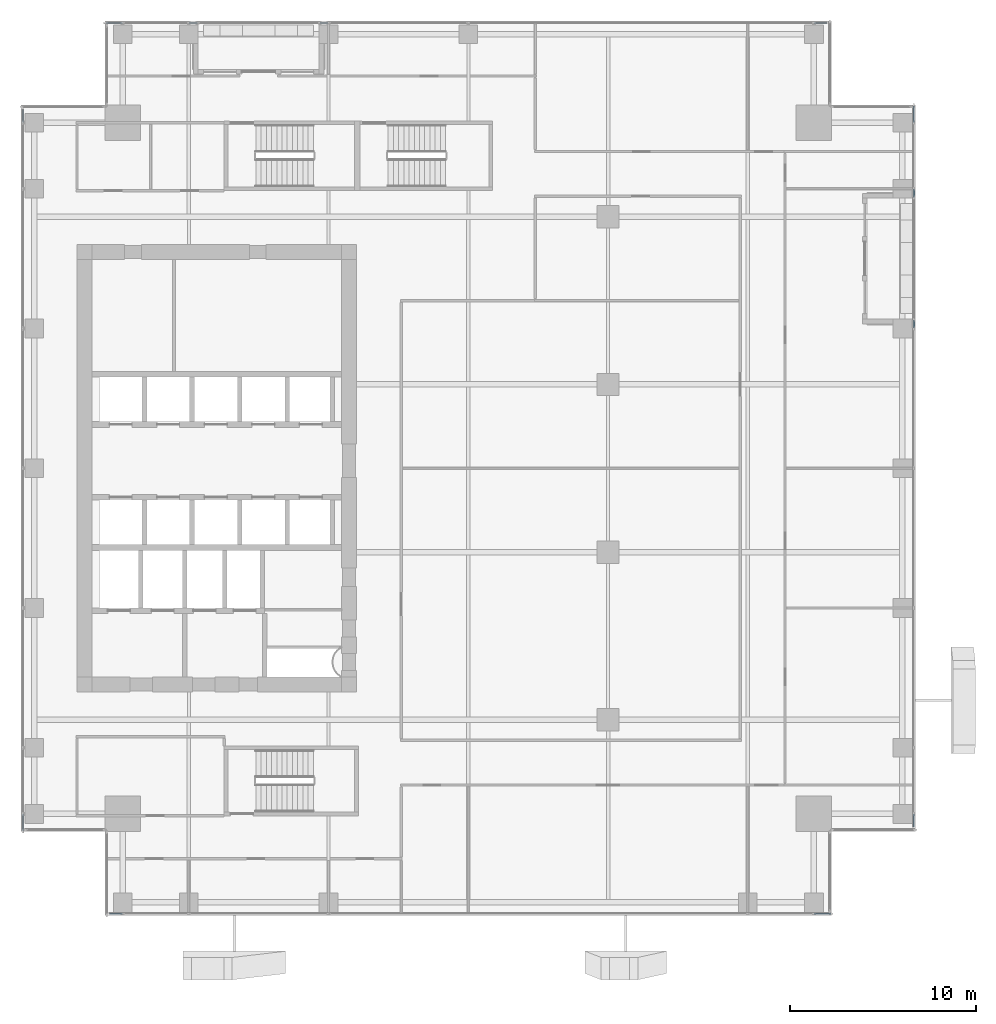
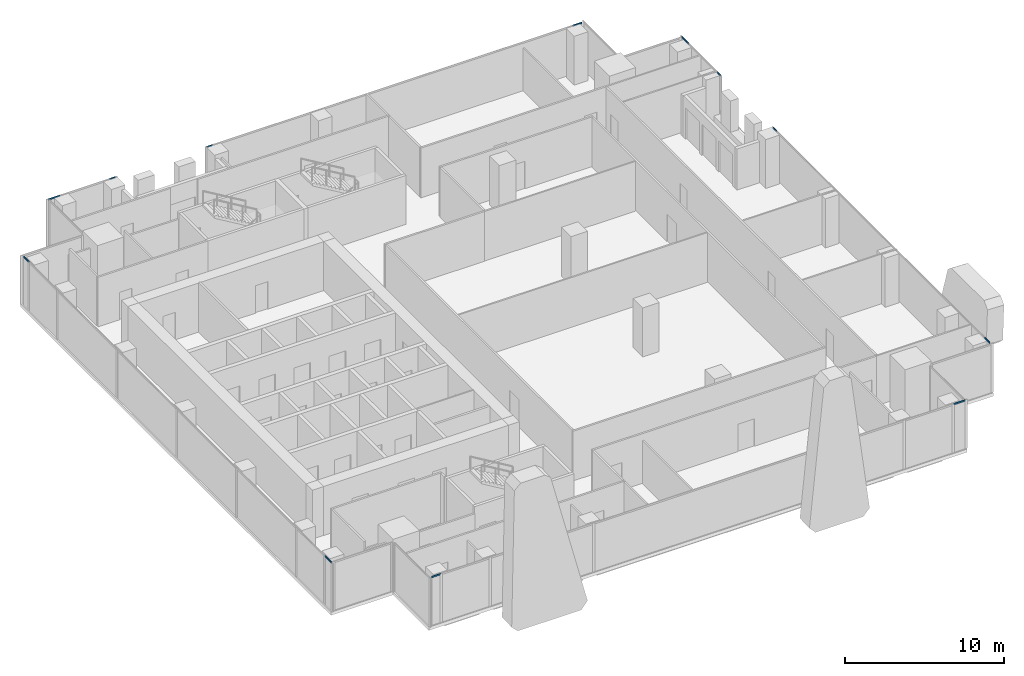
# One storey, part 26 of 38: 12 members, 6 elements without a shape of their own.
"""IFC4 building model written with IfcOpenShell, lengths in metres."""

from ifc_helpers import new_model, si_unit, direction, frame, origin, origin_2d, place, context, subcontext, project, spatial, hollow_rectangle, extrude, source, transform, mapped, material, material_profile, profile_set, type_object, element, aggregate, save


model = new_model("IFC4")

# Units and contexts
model_context = context("Model", 3, precision=1e-05, world=origin(), true_north=direction((0.0, 1.0)))
body_context = subcontext(model_context, "Body", "Model", "MODEL_VIEW")
ifc_project = project(units=[si_unit("LENGTHUNIT", "METRE"), si_unit("AREAUNIT", "SQUARE_METRE"), si_unit("VOLUMEUNIT", "CUBIC_METRE"), si_unit("PLANEANGLEUNIT", "RADIAN"), si_unit("MASSUNIT", "GRAM", prefix="KILO")], contexts=[model_context])

# Site, building, storey
site_placement = place(None, origin())
site = spatial("IfcSite", under=ifc_project, at=site_placement, CompositionType="ELEMENT")
building_placement = place(site_placement, origin())
building = spatial("IfcBuilding", under=site, at=building_placement, Name="Khomas Fold Tower", CompositionType="ELEMENT")
storey_placement = place(building_placement, frame((0.0, 0.0, 196.699951171875)))
storey = spatial("IfcBuildingStorey", under=building, at=storey_placement, Name="L43", CompositionType="ELEMENT", Elevation=196.699951171875)

# Curtain wall, member
ifc_material_1 = material(Name="Aluminium framed double glazing", Category="aluminium")
curtain_wall_type = type_object("IfcCurtainWallType", Name="SK-Unitised clear-glass wall, office floors CW2", PredefinedType="NOTDEFINED", material=ifc_material_1)
curtain_wall_1_placement = place(storey_placement, origin())
curtain_wall_1 = element("IfcCurtainWall", 1, at=curtain_wall_1_placement, inside=storey, type_object=curtain_wall_type, Name="CW2 run L43 00-0", PredefinedType="NOTDEFINED")
ifc_material_2 = material(Name="Aluminium", Category="aluminium")
ifc_material_profile = material_profile(ifc_material_2, hollow_rectangle(XDim=0.050048828125, YDim=0.110107421875, WallThickness=0.00390625, at=origin_2d()), Name="SK-Unitised clear-glass wall, office floors transom CW2-T")
ifc_profile_set = profile_set([ifc_material_profile], Name="Aluminium")
member_type = type_object("IfcMemberType", Name="SK-Unitised clear-glass wall, office floors transom CW2-T", PredefinedType="USERDEFINED", material=ifc_profile_set)
shared_shape_1 = source(origin(), body_context, "Body", "SweptSolid", [
    extrude(hollow_rectangle(XDim=0.050048828125, YDim=0.110107421875, WallThickness=0.00390625, at=origin_2d()), origin(), (0.0, 0.0, 1.0), 0.659912109375),
])
member_1_placement = place(storey_placement, frame((7.760009765625, 3.10009765625, 3.695068359375), z_axis=(1.0, 0.0, 0.0), x_axis=(0.0, 1.0, 0.0)))
member_1 = element("IfcMember", 2, at=member_1_placement, type_object=member_type, Name="CW2 transom 1", ObjectType="TRANSOM", PredefinedType="USERDEFINED", context=body_context, shape_type="MappedRepresentation", body=[
    mapped(shared_shape_1, transform((0.0, 0.0, 0.0))),
])

curtain_wall_2_placement = place(storey_placement, origin())
curtain_wall_2 = element("IfcCurtainWall", 3, at=curtain_wall_2_placement, inside=storey, type_object=curtain_wall_type, Name="CW2 run L43 03-0", PredefinedType="NOTDEFINED")
member_2_placement = place(storey_placement, frame((50.89990234375, 7.760009765625, 3.695068359375), z_axis=(0.0, 1.0, 0.0), x_axis=(-1.0, 0.0, 0.0)))
member_2 = element("IfcMember", 4, at=member_2_placement, type_object=member_type, Name="CW2 transom 1", ObjectType="TRANSOM", PredefinedType="USERDEFINED", context=body_context, shape_type="MappedRepresentation", body=[
    mapped(shared_shape_1, transform((0.0, 0.0, 0.0))),
])

curtain_wall_3_placement = place(storey_placement, origin())
curtain_wall_3 = element("IfcCurtainWall", 5, at=curtain_wall_3_placement, inside=storey, type_object=curtain_wall_type, Name="CW2 run L43 06-0", PredefinedType="NOTDEFINED")
member_3_placement = place(storey_placement, frame((46.239990234375, 50.89990234375, 3.695068359375), z_axis=(-1.0, 0.0, 0.0), x_axis=(0.0, -1.0, 0.0)))
member_3 = element("IfcMember", 6, at=member_3_placement, type_object=member_type, Name="CW2 transom 1", ObjectType="TRANSOM", PredefinedType="USERDEFINED", context=body_context, shape_type="MappedRepresentation", body=[
    mapped(shared_shape_1, transform((0.0, 0.0, 0.0))),
])

curtain_wall_4_placement = place(storey_placement, origin())
curtain_wall_4 = element("IfcCurtainWall", 7, at=curtain_wall_4_placement, inside=storey, type_object=curtain_wall_type, Name="CW2 run L43 09-0", PredefinedType="NOTDEFINED")
member_4_placement = place(storey_placement, frame((3.10009765625, 46.239990234375, 3.695068359375), z_axis=(0.0, -1.0, 0.0), x_axis=(1.0, 0.0, 0.0)))
member_4 = element("IfcMember", 8, at=member_4_placement, type_object=member_type, Name="CW2 transom 1", ObjectType="TRANSOM", PredefinedType="USERDEFINED", context=body_context, shape_type="MappedRepresentation", body=[
    mapped(shared_shape_1, transform((0.0, 0.0, 0.0))),
])

# Member
shared_shape_2 = source(origin(), body_context, "Body", "SweptSolid", [
    extrude(hollow_rectangle(XDim=0.050048828125, YDim=0.110107421875, WallThickness=0.00390625, at=origin_2d()), origin(), (0.0, 0.0, 1.0), 0.409912109375),
])
member_5_placement = place(storey_placement, frame((50.89990234375, 34.530029296875, 3.695068359375), z_axis=(0.0, 1.0, 0.0), x_axis=(-1.0, 0.0, 0.0)))
member_5 = element("IfcMember", 9, at=member_5_placement, type_object=member_type, Name="CW2 transom 6", ObjectType="TRANSOM", PredefinedType="USERDEFINED", context=body_context, shape_type="MappedRepresentation", body=[
    mapped(shared_shape_2, transform((0.0, 0.0, 0.0))),
])

aggregate(curtain_wall_2, [member_2, member_5])

# Curtain wall, member
curtain_wall_5_placement = place(storey_placement, origin())
curtain_wall_5 = element("IfcCurtainWall", 10, at=curtain_wall_5_placement, inside=storey, type_object=curtain_wall_type, Name="CW2 run L43 03-1", PredefinedType="NOTDEFINED")
member_6_placement = place(storey_placement, frame((50.89990234375, 41.56005859375, 3.695068359375), z_axis=(0.0, 1.0, 0.0), x_axis=(-1.0, 0.0, 0.0)))
member_6 = element("IfcMember", 11, at=member_6_placement, type_object=member_type, Name="CW2 transom 1", ObjectType="TRANSOM", PredefinedType="USERDEFINED", context=body_context, shape_type="MappedRepresentation", body=[
    mapped(shared_shape_2, transform((0.0, 0.0, 0.0))),
])

# Member
member_7_placement = place(storey_placement, frame((19.469970703125, 50.89990234375, 3.695068359375), z_axis=(-1.0, 0.0, 0.0), x_axis=(0.0, -1.0, 0.0)))
member_7 = element("IfcMember", 12, at=member_7_placement, type_object=member_type, Name="CW2 transom 4", ObjectType="TRANSOM", PredefinedType="USERDEFINED", context=body_context, shape_type="MappedRepresentation", body=[
    mapped(shared_shape_2, transform((0.0, 0.0, 0.0))),
])

aggregate(curtain_wall_3, [member_3, member_7])

# Curtain wall, member
curtain_wall_6_placement = place(storey_placement, origin())
curtain_wall_6 = element("IfcCurtainWall", 13, at=curtain_wall_6_placement, inside=storey, type_object=curtain_wall_type, Name="CW2 run L43 06-1", PredefinedType="NOTDEFINED")
member_8_placement = place(storey_placement, frame((12.43994140625, 50.89990234375, 3.695068359375), z_axis=(-1.0, 0.0, 0.0), x_axis=(0.0, -1.0, 0.0)))
member_8 = element("IfcMember", 14, at=member_8_placement, type_object=member_type, Name="CW2 transom 1", ObjectType="TRANSOM", PredefinedType="USERDEFINED", context=body_context, shape_type="MappedRepresentation", body=[
    mapped(shared_shape_2, transform((0.0, 0.0, 0.0))),
])

# Member
shared_shape_3 = source(origin(), body_context, "Body", "SweptSolid", [
    extrude(hollow_rectangle(XDim=0.050048828125, YDim=0.110107421875, WallThickness=0.00390625, at=origin_2d()), origin(), (0.0, 0.0, 1.0), 0.85986328125),
])
member_9_placement = place(storey_placement, frame((45.580078125, 3.10009765625, 3.695068359375), z_axis=(1.0, 0.0, 0.0), x_axis=(0.0, 1.0, 0.0)))
member_9 = element("IfcMember", 15, at=member_9_placement, type_object=member_type, Name="CW2 transom 6", ObjectType="TRANSOM", PredefinedType="USERDEFINED", context=body_context, shape_type="MappedRepresentation", body=[
    mapped(shared_shape_3, transform((0.0, 0.0, 0.0))),
])

aggregate(curtain_wall_1, [member_1, member_9])

member_10_placement = place(storey_placement, frame((50.89990234375, 45.580078125, 3.695068359375), z_axis=(0.0, 1.0, 0.0), x_axis=(-1.0, 0.0, 0.0)))
member_10 = element("IfcMember", 16, at=member_10_placement, type_object=member_type, Name="CW2 transom 3", ObjectType="TRANSOM", PredefinedType="USERDEFINED", context=body_context, shape_type="MappedRepresentation", body=[
    mapped(shared_shape_3, transform((0.0, 0.0, 0.0))),
])

aggregate(curtain_wall_5, [member_6, member_10])

member_11_placement = place(storey_placement, frame((8.419921875, 50.89990234375, 3.695068359375), z_axis=(-1.0, 0.0, 0.0), x_axis=(0.0, -1.0, 0.0)))
member_11 = element("IfcMember", 17, at=member_11_placement, type_object=member_type, Name="CW2 transom 3", ObjectType="TRANSOM", PredefinedType="USERDEFINED", context=body_context, shape_type="MappedRepresentation", body=[
    mapped(shared_shape_3, transform((0.0, 0.0, 0.0))),
])

aggregate(curtain_wall_6, [member_8, member_11])

member_12_placement = place(storey_placement, frame((3.10009765625, 8.419921875, 3.695068359375), z_axis=(0.0, -1.0, 0.0), x_axis=(1.0, 0.0, 0.0)))
member_12 = element("IfcMember", 18, at=member_12_placement, type_object=member_type, Name="CW2 transom 8", ObjectType="TRANSOM", PredefinedType="USERDEFINED", context=body_context, shape_type="MappedRepresentation", body=[
    mapped(shared_shape_3, transform((0.0, 0.0, 0.0))),
])

aggregate(curtain_wall_4, [member_4, member_12])

save(model, "model.ifc")
